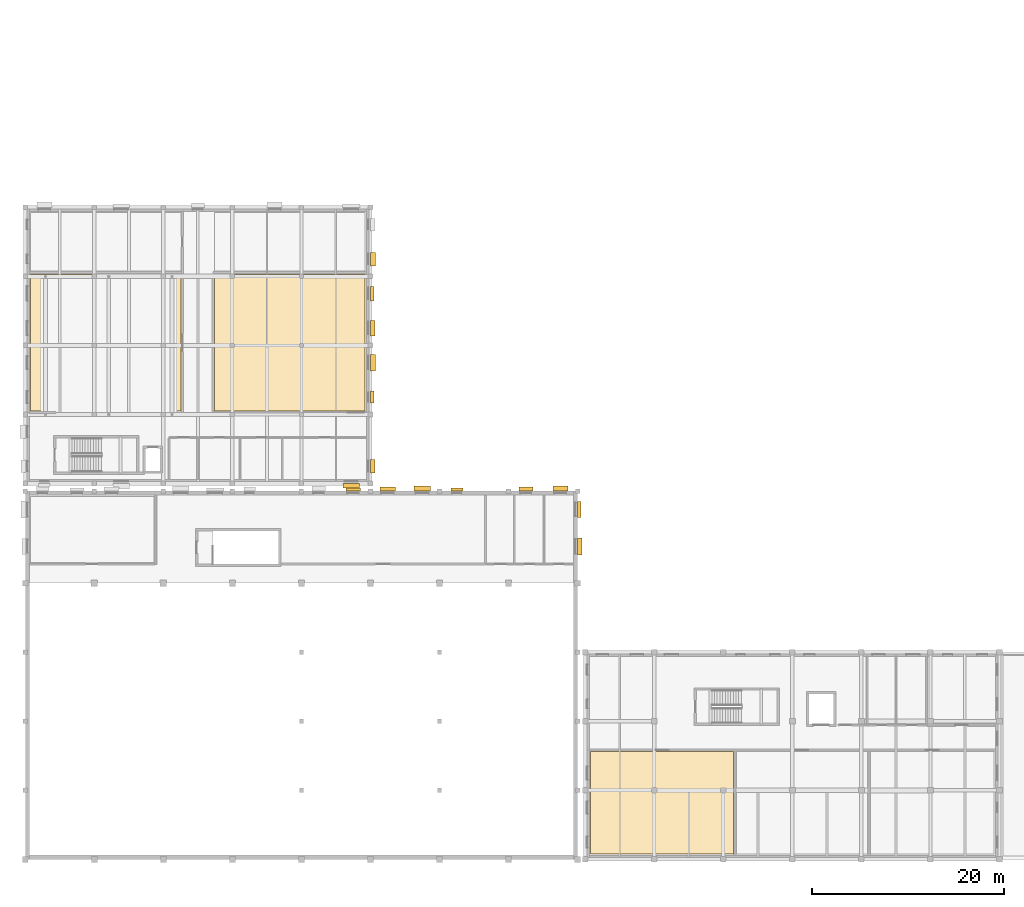
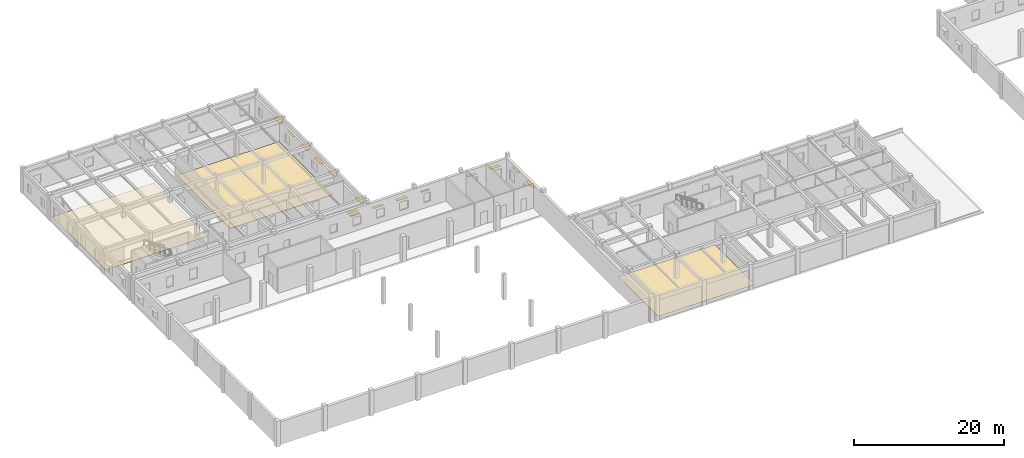
# One storey, part 42 of 49: 15 shading devices, 3 coverings.
"""IFC4 building model written with IfcOpenShell, lengths in metres."""

import ifcopenshell
import ifcopenshell.guid

model = None  # the IFC model being written
_history = None  # IfcOwnerHistory: only IFC2X3 demands one
_inside = {}  # id of a spatial element -> (the spatial element, [elements in it])
_under = {}  # id of a project, library or spatial element -> (it, [spatial elements below it])
_declared = {}  # id of a project -> (the project, [libraries it declares])
_typed = {}  # id of a type object -> (the type object, [elements of that type])
_made_of = {}  # id of a material, layer set ... -> (it, [elements and type objects made of it])


def new_model(schema):
    """Start an empty IFC model of exactly this schema.

    Asked for "IFC4X3", IfcOpenShell would pick the latest addendum, in which some entities
    have other attributes; the version numbers below select the first issue.
    IFC2X3 requires an IfcOwnerHistory on every rooted entity: one is made here for all.
    """
    global model, _history
    if schema == "IFC4X3":
        model = ifcopenshell.file(schema_version=(4, 3, 0, 0))
    else:
        model = ifcopenshell.file(schema=schema)
    _inside.clear()
    _under.clear()
    _declared.clear()
    _typed.clear()
    _made_of.clear()
    _history = None
    if model.schema == "IFC2X3":
        org = make("IfcOrganization", Name="unknown")
        user = make(
            "IfcPersonAndOrganization",
            ThePerson=make("IfcPerson", FamilyName="unknown"),
            TheOrganization=org,
        )
        app = make(
            "IfcApplication",
            ApplicationDeveloper=org,
            Version="unknown",
            ApplicationFullName="unknown",
            ApplicationIdentifier="unknown",
        )
        _history = make(
            "IfcOwnerHistory",
            OwningUser=user,
            OwningApplication=app,
            ChangeAction="ADDED",
            CreationDate=0,
        )
    return model


def make(cls, **values):
    """One entity of the class cls with the attributes given. An attribute that is None is left unset."""
    return model.create_entity(
        cls, **{name: value for name, value in values.items() if value is not None}
    )


def rooted(cls, **values):
    """An entity with a GlobalId (a new one), such as an element, a storey or a relation."""
    return make(cls, GlobalId=ifcopenshell.guid.new(), OwnerHistory=_history, **values)


def si_unit(unit_type, name, prefix=None):
    """IfcSIUnit, for example si_unit("LENGTHUNIT", "METRE", prefix="MILLI")."""
    return make("IfcSIUnit", UnitType=unit_type, Prefix=prefix, Name=name)


def assignment(units):
    """IfcUnitAssignment: the units of a project."""
    return None if units is None else make("IfcUnitAssignment", Units=units)


def point(xyz):
    """IfcCartesianPoint."""
    return None if xyz is None else make("IfcCartesianPoint", Coordinates=xyz)


def direction(xyz):
    """IfcDirection."""
    return None if xyz is None else make("IfcDirection", DirectionRatios=xyz)


def frame(location, z_axis=None, x_axis=None):
    """IfcAxis2Placement3D, a coordinate frame: its origin and axes. An axis left out is left unset."""
    return make(
        "IfcAxis2Placement3D",
        Location=point(location),
        Axis=direction(z_axis),
        RefDirection=direction(x_axis),
    )


def frame_2d(location, x_axis=None):
    """IfcAxis2Placement2D, a coordinate frame in the plane: its origin and x axis."""
    return make(
        "IfcAxis2Placement2D", Location=point(location), RefDirection=direction(x_axis)
    )


def origin():
    """The frame at (0, 0, 0) with its axes left unset."""
    return frame((0.0, 0.0, 0.0))


def origin_2d():
    """The frame at (0, 0) in the plane with its x axis left unset."""
    return frame_2d((0.0, 0.0))


def place(relative_to, where):
    """IfcLocalPlacement: puts the frame where relative to a parent placement (None: the world)."""
    return make(
        "IfcLocalPlacement", PlacementRelTo=relative_to, RelativePlacement=where
    )


def context(
    kind, dimensions, precision=None, world=None, true_north=None, identifier=None
):
    """IfcGeometricRepresentationContext, for example the 3D "Model" context."""
    return make(
        "IfcGeometricRepresentationContext",
        ContextIdentifier=identifier,
        ContextType=kind,
        CoordinateSpaceDimension=dimensions,
        Precision=precision,
        WorldCoordinateSystem=world,
        TrueNorth=true_north,
    )


def subcontext(parent, identifier, kind, view, scale=None):
    """IfcGeometricRepresentationSubContext, for example "Body" below "Model"."""
    return make(
        "IfcGeometricRepresentationSubContext",
        ContextIdentifier=identifier,
        ContextType=kind,
        ParentContext=parent,
        TargetScale=scale,
        TargetView=view,
    )


def project(units=None, contexts=None):
    """IfcProject with its units and contexts."""
    return rooted(
        "IfcProject",
        Name="project",
        RepresentationContexts=contexts,
        UnitsInContext=assignment(units),
    )


def spatial(cls, under=None, at=None, **own):
    """A site, building, storey or space (cls), placed at a placement, below another one or the project."""
    s = rooted(cls, ObjectPlacement=at, **own)
    if under is not None:
        _under.setdefault(under.id(), (under, []))[1].append(s)
    return s


def polyline(points):
    """IfcPolyline through the points."""
    return make("IfcPolyline", Points=[point(p) for p in points])


def profile(cls, at=None, kind="AREA", **sizes):
    """A parametric profile (cls). Its sizes go by their IFC names, for example OverallWidth=200.0."""
    return make(cls, ProfileType=kind, Position=at, **sizes)


def rectangle(**sizes):
    """IfcRectangleProfileDef."""
    return profile("IfcRectangleProfileDef", **sizes)


def outline(outer, holes=None, kind="AREA"):
    """IfcArbitraryClosedProfileDef: a profile drawn as a closed curve; with holes, ...WithVoids."""
    if holes is None:
        return make("IfcArbitraryClosedProfileDef", ProfileType=kind, OuterCurve=outer)
    return make(
        "IfcArbitraryProfileDefWithVoids",
        ProfileType=kind,
        OuterCurve=outer,
        InnerCurves=holes,
    )


def extrude(swept, where, along, depth):
    """IfcExtrudedAreaSolid: the profile swept, set in the frame where, extruded along a direction by depth."""
    return make(
        "IfcExtrudedAreaSolid",
        SweptArea=swept,
        Position=where,
        ExtrudedDirection=direction(along),
        Depth=depth,
    )


def shape(context_of_items, identifier, shape_type, items):
    """IfcShapeRepresentation: the items that make up one representation, for example the "Body"."""
    return make(
        "IfcShapeRepresentation",
        ContextOfItems=context_of_items,
        RepresentationIdentifier=identifier,
        RepresentationType=shape_type,
        Items=items,
    )


def material(Name=None, Category=None):
    """IfcMaterial."""
    return make("IfcMaterial", Name=Name, Category=Category)


def layer(
    of_material, thickness, ventilated=None, Name=None, Category=None, Priority=None
):
    """IfcMaterialLayer: one layer of a wall or slab, of a material (None: an air gap)."""
    return make(
        "IfcMaterialLayer",
        Material=of_material,
        LayerThickness=thickness,
        IsVentilated=ventilated,
        Name=Name,
        Category=Category,
        Priority=Priority,
    )


def layer_set(layers, Name=None):
    """IfcMaterialLayerSet."""
    return make("IfcMaterialLayerSet", MaterialLayers=layers, LayerSetName=Name)


def made_of(thing, what):
    """Note that an element or type object is made of a material, layer set ...; save() writes the relation."""
    if what is not None:
        _made_of.setdefault(what.id(), (what, []))[1].append(thing)
    return thing


def type_object(cls, material=None, **own):
    """A type object (cls), such as IfcWallType, which elements share."""
    return made_of(rooted(cls, **own), material)


def element(
    cls,
    number,
    at=None,
    inside=None,
    cuts=None,
    type_object=None,
    material=None,
    context=None,
    identifier="Body",
    shape_type=None,
    held_by="IfcProductDefinitionShape",
    body=None,
    shapes=None,
    **own,
):
    """One element of the class cls, such as IfcWall. Its Tag is "e" and its number.

    at: its placement. inside: the storey or other place that contains it. cuts: it is an
    opening in that element (IfcRelVoidsElement). A single representation is given by context,
    identifier, shape_type and body (its items); several are given by shapes. held_by: the class
    of the entity that holds the representations. save() writes the other relations.
    """
    e = rooted(cls, Tag="e%d" % number, ObjectPlacement=at, **own)
    if body is not None:
        shapes = [shape(context, identifier, shape_type, body)]
    if shapes is not None:
        e.Representation = make(held_by, Representations=shapes)
    if inside is not None:
        _inside.setdefault(inside.id(), (inside, []))[1].append(e)
    if cuts is not None:
        rooted(
            "IfcRelVoidsElement", RelatingBuildingElement=cuts, RelatedOpeningElement=e
        )
    if type_object is not None:
        _typed.setdefault(type_object.id(), (type_object, []))[1].append(e)
    return made_of(e, material)


def aggregate(whole, parts):
    """IfcRelAggregates: a whole, such as a stair, and the parts it consists of."""
    return rooted("IfcRelAggregates", RelatingObject=whole, RelatedObjects=parts)


def save(model, path):
    """Write the relations noted so far, then the file.

    IfcRelAggregates (storeys below a building ...), IfcRelContainedInSpatialStructure (elements
    in a storey), IfcRelDefinesByType, IfcRelAssociatesMaterial and IfcRelDeclares: one each for
    every whole, place, type object, material and project.
    """
    for whole, parts in _under.values():
        aggregate(whole, parts)
    for where, things in _inside.values():
        rooted(
            "IfcRelContainedInSpatialStructure",
            RelatedElements=things,
            RelatingStructure=where,
        )
    for kind, things in _typed.values():
        rooted("IfcRelDefinesByType", RelatedObjects=things, RelatingType=kind)
    for what, things in _made_of.values():
        rooted("IfcRelAssociatesMaterial", RelatedObjects=things, RelatingMaterial=what)
    for by, libraries in _declared.values():
        rooted("IfcRelDeclares", RelatingContext=by, RelatedDefinitions=libraries)
    model.write(path)


model = new_model("IFC4")

# Units and contexts
model_context = context("Model", 3, precision=1e-05, world=origin(), true_north=direction((0.0, 1.0)))
body_context = subcontext(model_context, "Body", "Model", "MODEL_VIEW")
ifc_project = project(units=[si_unit("LENGTHUNIT", "METRE"), si_unit("AREAUNIT", "SQUARE_METRE"), si_unit("VOLUMEUNIT", "CUBIC_METRE"), si_unit("PLANEANGLEUNIT", "RADIAN"), si_unit("MASSUNIT", "GRAM", prefix="KILO")], contexts=[model_context])

# Site, building, storey
site_placement = place(None, origin())
site = spatial("IfcSite", under=ifc_project, at=site_placement, CompositionType="ELEMENT")
building_placement = place(site_placement, origin())
building = spatial("IfcBuilding", under=site, at=building_placement, Name="Bramveld Media Centre", CompositionType="ELEMENT")
storey_placement = place(building_placement, frame((0.0, 0.0, 9.60009765625)))
storey = spatial("IfcBuildingStorey", under=building, at=storey_placement, Name="L02", CompositionType="ELEMENT", Elevation=9.60009765625)

# Coverings
ifc_material_1 = material(Name="Floating acoustic screed with smoked European oak studio flooring")
ifc_layer_1 = layer(ifc_material_1, 0.06494140625)
ifc_layer_set_1 = layer_set([ifc_layer_1], Name="Floating acoustic screed with smoked European oak studio flooring")
covering_type_1 = type_object("IfcCoveringType", Name="COV-FLOOR-01", PredefinedType="FLOORING", material=ifc_layer_set_1)
covering_1_placement = place(storey_placement, origin())
element("IfcCovering", 1, at=covering_1_placement, inside=storey, type_object=covering_type_1, Name="Screen 6 Experimental Cinema finish flooring", PredefinedType="FLOORING", context=body_context, shape_type="SweptSolid", body=[
    extrude(outline(polyline([(19.75, 46.75), (35.449951171875, 46.75), (35.449951171875, 61.050048828125), (19.75, 61.050048828125), (19.75, 46.75)])), origin(), (0.0, 0.0, 1.0), 0.06494140625),
])
ifc_material_2 = material(Name="Anti-static acoustic linoleum editing & vault flooring")
ifc_layer_2 = layer(ifc_material_2, 0.0400390625)
ifc_layer_set_2 = layer_set([ifc_layer_2], Name="Anti-static acoustic linoleum editing & vault flooring")
covering_type_2 = type_object("IfcCoveringType", Name="COV-FLOOR-03", PredefinedType="FLOORING", material=ifc_layer_set_2)
covering_2_placement = place(storey_placement, origin())
element("IfcCovering", 2, at=covering_2_placement, inside=storey, type_object=covering_type_2, Name="Screen 5 Arthouse Cinema finish flooring", PredefinedType="FLOORING", context=body_context, shape_type="SweptSolid", body=[
    extrude(outline(polyline([(0.550048828125, 46.75), (16.25, 46.75), (16.25, 61.050048828125), (0.550048828125, 61.050048828125), (0.550048828125, 46.75)])), origin(), (0.0, 0.0, 1.0), 0.039794921875),
])
covering_3_placement = place(storey_placement, origin())
element("IfcCovering", 3, at=covering_3_placement, inside=storey, type_object=covering_type_2, Name="FIAF Cool Acetate Film Vault 1 finish flooring", PredefinedType="FLOORING", context=body_context, shape_type="SweptSolid", body=[
    extrude(outline(polyline([(58.949951171875, 0.550048828125), (73.85009765625, 0.550048828125), (73.85009765625, 11.25), (58.949951171875, 11.25), (58.949951171875, 0.550048828125)])), origin(), (0.0, 0.0, 1.0), 0.039794921875),
])

# Shading devices
ifc_material_3 = material(Name="Anodized bronze extruded aluminium solar shading fin", Category="aluminium")
shading_device_type_1 = type_object("IfcShadingDeviceType", Name="SHD-BRISE-350", PredefinedType="JALOUSIE", material=ifc_material_3)
shading_device_1_placement = place(storey_placement, frame((57.77490234375, 36.47998046875, 2.509765625), z_axis=(0.0, 0.0, 1.0), x_axis=(1.0, 0.0, 0.0)))
element("IfcShadingDevice", 4, at=shading_device_1_placement, inside=storey, type_object=shading_device_type_1, Name="Bronze solar shading fin 81", PredefinedType="JALOUSIE", context=body_context, shape_type="SweptSolid", body=[
    extrude(rectangle(XDim=0.35009765625, YDim=1.679931640625, at=origin_2d()), origin(), (0.0, 0.0, 1.0), 0.06005859375),
])
shading_device_2_placement = place(storey_placement, frame((34.199951171875, 38.574951171875, 2.259765625), z_axis=(0.0, 0.0, 1.0), x_axis=(1.0, 0.0, 0.0)))
element("IfcShadingDevice", 5, at=shading_device_2_placement, inside=storey, type_object=shading_device_type_1, Name="Bronze solar shading fin 90", PredefinedType="JALOUSIE", context=body_context, shape_type="SweptSolid", body=[
    extrude(rectangle(XDim=1.5, YDim=0.35009765625, at=origin_2d()), origin(), (0.0, 0.0, 1.0), 0.06005859375),
])
shading_device_3_placement = place(storey_placement, frame((45.0, 38.574951171875, 2.35986328125), z_axis=(0.0, 0.0, 1.0), x_axis=(1.0, 0.0, 0.0)))
element("IfcShadingDevice", 6, at=shading_device_3_placement, inside=storey, type_object=shading_device_type_1, Name="Bronze solar shading fin 93", PredefinedType="JALOUSIE", context=body_context, shape_type="SweptSolid", body=[
    extrude(rectangle(XDim=1.25, YDim=0.35009765625, at=origin_2d()), origin(), (0.0, 0.0, 1.0), 0.06005859375),
])
shading_device_4_placement = place(storey_placement, frame((36.175048828125, 59.0, 2.259765625), z_axis=(0.0, 0.0, 1.0), x_axis=(1.0, 0.0, 0.0)))
element("IfcShadingDevice", 7, at=shading_device_4_placement, inside=storey, type_object=shading_device_type_1, Name="Bronze solar shading fin 129", PredefinedType="JALOUSIE", context=body_context, shape_type="SweptSolid", body=[
    extrude(rectangle(XDim=0.35009765625, YDim=1.5, at=origin_2d()), origin(), (0.0, 0.0, 1.0), 0.06005859375),
])
shading_device_5_placement = place(storey_placement, frame((36.175048828125, 48.199951171875, 2.35986328125), z_axis=(0.0, 0.0, 1.0), x_axis=(1.0, 0.0, 0.0)))
element("IfcShadingDevice", 8, at=shading_device_5_placement, inside=storey, type_object=shading_device_type_1, Name="Bronze solar shading fin 132", PredefinedType="JALOUSIE", context=body_context, shape_type="SweptSolid", body=[
    extrude(rectangle(XDim=0.35009765625, YDim=1.25, at=origin_2d()), origin(), (0.0, 0.0, 1.0), 0.06005859375),
])
ifc_material_4 = material(Name="Anodized bronze extruded aluminium solar shading fin", Category="aluminium")
shading_device_type_2 = type_object("IfcShadingDeviceType", Name="SHD-BRISE-450", PredefinedType="JALOUSIE", material=ifc_material_4)
shading_device_6_placement = place(storey_placement, frame((57.824951171875, 32.639892578125, 2.509765625), z_axis=(0.0, 0.0, 1.0), x_axis=(1.0, 0.0, 0.0)))
element("IfcShadingDevice", 9, at=shading_device_6_placement, inside=storey, type_object=shading_device_type_2, Name="Bronze solar shading fin 82", PredefinedType="JALOUSIE", context=body_context, shape_type="SweptSolid", body=[
    extrude(rectangle(XDim=0.449951171875, YDim=1.800048828125, at=origin_2d()), origin(), (0.0, 0.0, 1.0), 0.06005859375),
])
shading_device_7_placement = place(storey_placement, frame((37.800048828125, 38.625, 2.259765625), z_axis=(0.0, 0.0, 1.0), x_axis=(1.0, 0.0, 0.0)))
element("IfcShadingDevice", 10, at=shading_device_7_placement, inside=storey, type_object=shading_device_type_2, Name="Bronze solar shading fin 91", PredefinedType="JALOUSIE", context=body_context, shape_type="SweptSolid", body=[
    extrude(rectangle(XDim=1.60009765625, YDim=0.449951171875, at=origin_2d()), origin(), (0.0, 0.0, 1.0), 0.06005859375),
])
shading_device_8_placement = place(storey_placement, frame((52.199951171875, 38.625, 2.35986328125), z_axis=(0.0, 0.0, 1.0), x_axis=(1.0, 0.0, 0.0)))
element("IfcShadingDevice", 11, at=shading_device_8_placement, inside=storey, type_object=shading_device_type_2, Name="Bronze solar shading fin 94", PredefinedType="JALOUSIE", context=body_context, shape_type="SweptSolid", body=[
    extrude(rectangle(XDim=1.449951171875, YDim=0.449951171875, at=origin_2d()), origin(), (0.0, 0.0, 1.0), 0.06005859375),
])
shading_device_9_placement = place(storey_placement, frame((34.0, 38.97509765625, 2.509765625), z_axis=(0.0, 0.0, 1.0), x_axis=(1.0, 0.0, 0.0)))
element("IfcShadingDevice", 12, at=shading_device_9_placement, inside=storey, type_object=shading_device_type_2, Name="Bronze solar shading fin 124", PredefinedType="JALOUSIE", context=body_context, shape_type="SweptSolid", body=[
    extrude(rectangle(XDim=1.679931640625, YDim=0.449951171875, at=origin_2d()), origin(), (0.0, 0.0, 1.0), 0.06005859375),
])
shading_device_10_placement = place(storey_placement, frame((36.22509765625, 55.39990234375, 2.259765625), z_axis=(0.0, 0.0, 1.0), x_axis=(1.0, 0.0, 0.0)))
element("IfcShadingDevice", 13, at=shading_device_10_placement, inside=storey, type_object=shading_device_type_2, Name="Bronze solar shading fin 130", PredefinedType="JALOUSIE", context=body_context, shape_type="SweptSolid", body=[
    extrude(rectangle(XDim=0.449951171875, YDim=1.60009765625, at=origin_2d()), origin(), (0.0, 0.0, 1.0), 0.06005859375),
])
shading_device_11_placement = place(storey_placement, frame((36.22509765625, 41.0, 2.35986328125), z_axis=(0.0, 0.0, 1.0), x_axis=(1.0, 0.0, 0.0)))
element("IfcShadingDevice", 14, at=shading_device_11_placement, inside=storey, type_object=shading_device_type_2, Name="Bronze solar shading fin 133", PredefinedType="JALOUSIE", context=body_context, shape_type="SweptSolid", body=[
    extrude(rectangle(XDim=0.449951171875, YDim=1.449951171875, at=origin_2d()), origin(), (0.0, 0.0, 1.0), 0.06005859375),
])
ifc_material_5 = material(Name="Anodized bronze extruded aluminium solar shading fin", Category="aluminium")
shading_device_type_3 = type_object("IfcShadingDeviceType", Name="SHD-BRISE-550", PredefinedType="JALOUSIE", material=ifc_material_5)
shading_device_12_placement = place(storey_placement, frame((41.39990234375, 38.675048828125, 2.259765625), z_axis=(0.0, 0.0, 1.0), x_axis=(1.0, 0.0, 0.0)))
element("IfcShadingDevice", 15, at=shading_device_12_placement, inside=storey, type_object=shading_device_type_3, Name="Bronze solar shading fin 92", PredefinedType="JALOUSIE", context=body_context, shape_type="SweptSolid", body=[
    extrude(rectangle(XDim=1.699951171875, YDim=0.550048828125, at=origin_2d()), origin(), (0.0, 0.0, 1.0), 0.06005859375),
])
shading_device_13_placement = place(storey_placement, frame((55.800048828125, 38.675048828125, 2.35986328125), z_axis=(0.0, 0.0, 1.0), x_axis=(1.0, 0.0, 0.0)))
element("IfcShadingDevice", 16, at=shading_device_13_placement, inside=storey, type_object=shading_device_type_3, Name="Bronze solar shading fin 95", PredefinedType="JALOUSIE", context=body_context, shape_type="SweptSolid", body=[
    extrude(rectangle(XDim=1.550048828125, YDim=0.550048828125, at=origin_2d()), origin(), (0.0, 0.0, 1.0), 0.06005859375),
])
shading_device_14_placement = place(storey_placement, frame((36.27490234375, 62.60009765625, 2.259765625), z_axis=(0.0, 0.0, 1.0), x_axis=(1.0, 0.0, 0.0)))
element("IfcShadingDevice", 17, at=shading_device_14_placement, inside=storey, type_object=shading_device_type_3, Name="Bronze solar shading fin 128", PredefinedType="JALOUSIE", context=body_context, shape_type="SweptSolid", body=[
    extrude(rectangle(XDim=0.550048828125, YDim=1.39990234375, at=origin_2d()), origin(), (0.0, 0.0, 1.0), 0.06005859375),
])
shading_device_15_placement = place(storey_placement, frame((36.27490234375, 51.800048828125, 2.259765625), z_axis=(0.0, 0.0, 1.0), x_axis=(1.0, 0.0, 0.0)))
element("IfcShadingDevice", 18, at=shading_device_15_placement, inside=storey, type_object=shading_device_type_3, Name="Bronze solar shading fin 131", PredefinedType="JALOUSIE", context=body_context, shape_type="SweptSolid", body=[
    extrude(rectangle(XDim=0.550048828125, YDim=1.699951171875, at=origin_2d()), origin(), (0.0, 0.0, 1.0), 0.06005859375),
])

save(model, "model.ifc")
